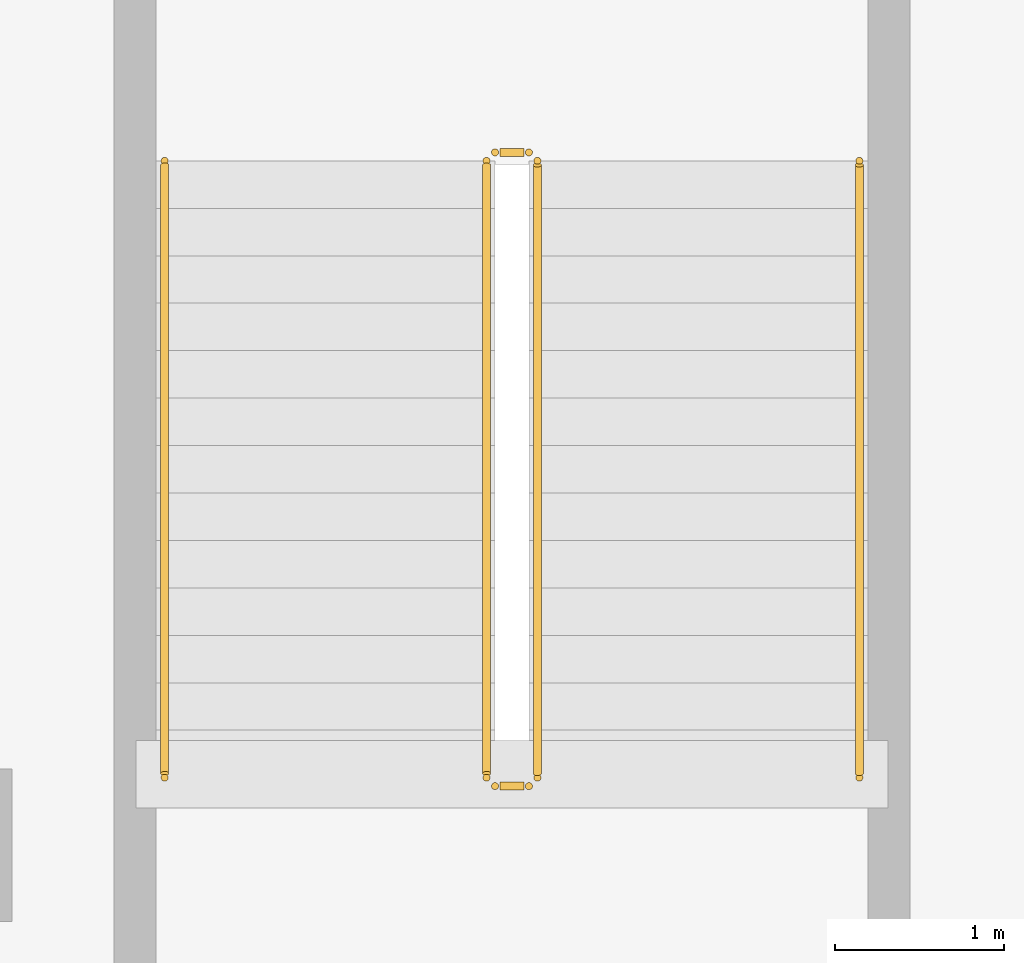
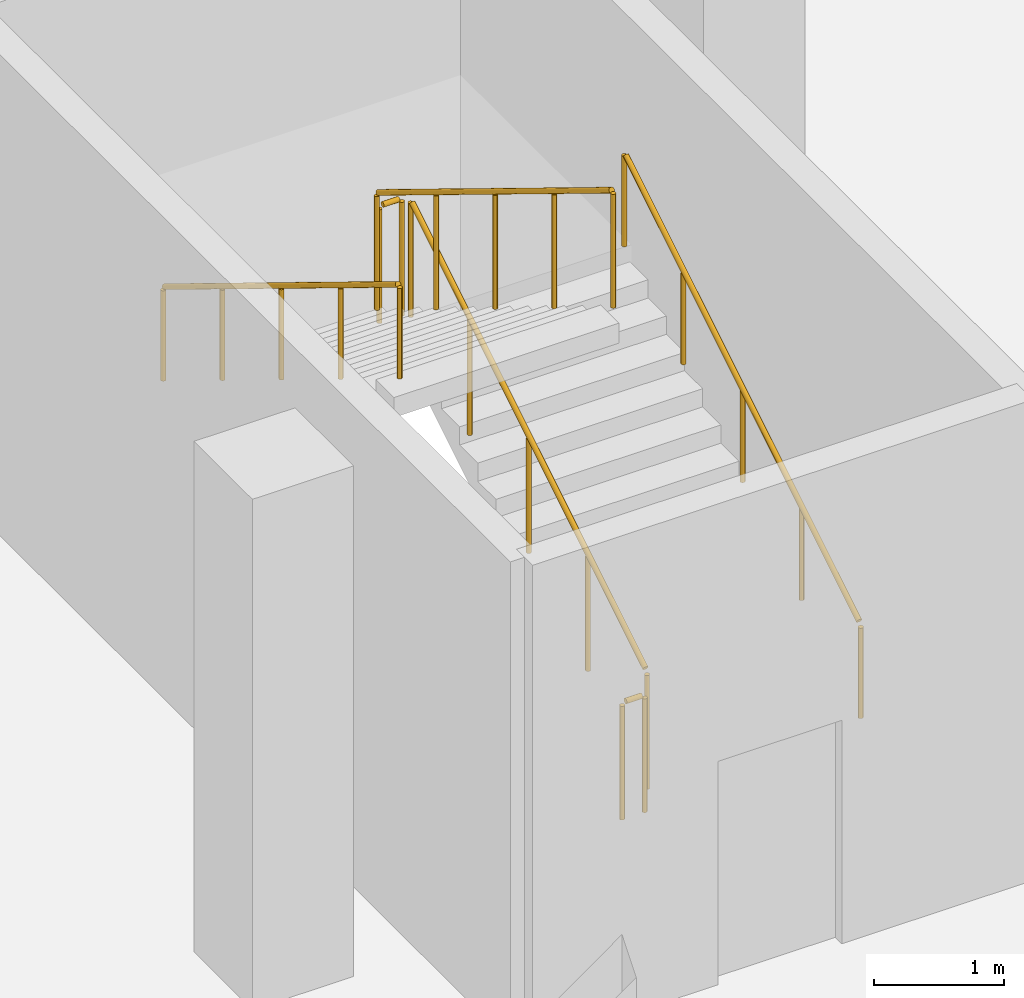
# One storey, part 32 of 36: 6 railings.
"""IFC4 building model written with IfcOpenShell, lengths in metres."""

from ifc_helpers import new_model, si_unit, direction, frame, origin, origin_2d, place, context, subcontext, project, spatial, circle, extrude, material, type_object, element, save


model = new_model("IFC4")

# Units and contexts
model_context = context("Model", 3, precision=1e-05, world=origin(), true_north=direction((0.0, 1.0)))
body_context = subcontext(model_context, "Body", "Model", "MODEL_VIEW")
ifc_project = project(units=[si_unit("LENGTHUNIT", "METRE"), si_unit("AREAUNIT", "SQUARE_METRE"), si_unit("VOLUMEUNIT", "CUBIC_METRE"), si_unit("PLANEANGLEUNIT", "RADIAN"), si_unit("MASSUNIT", "GRAM", prefix="KILO")], contexts=[model_context])

# Site, building, storey
site_placement = place(None, origin())
site = spatial("IfcSite", under=ifc_project, at=site_placement, CompositionType="ELEMENT")
building_placement = place(site_placement, origin())
building = spatial("IfcBuilding", under=site, at=building_placement, Name="Zuvorla Pavilion Media Centre", CompositionType="ELEMENT")
storey_placement = place(building_placement, origin())
storey = spatial("IfcBuildingStorey", under=building, at=storey_placement, Name="L00", CompositionType="ELEMENT", Elevation=0.0)

# Railings
ifc_material_1 = material(Name="Powder-coated steel balustrade guard", Category="steel")
railing_type_1 = type_object("IfcRailingType", Name="RL-INT-GRD", PredefinedType="BALUSTRADE", material=ifc_material_1)
railing_1_placement = place(storey_placement, frame((103.949951171875, 29.199951171875, 0.17138671875)))
element("IfcRailing", 1, at=railing_1_placement, inside=storey, type_object=railing_type_1, Name="L00 ST-04 stair guard 1", PredefinedType="BALUSTRADE", context=body_context, shape_type="SweptSolid", body=[
    extrude(circle(Radius=0.02392578125, at=origin_2d()), frame((0.0, 0.024658203125, 1.111083984375), z_axis=(0.0, 0.852865859571, 0.52213008492), x_axis=(-1.0, 0.0, 0.0)), (0.0, 0.0, 1.0), 4.21044921875),
    extrude(circle(Radius=0.02099609375, at=origin_2d()), origin(), (0.0, 0.0, 1.0), 1.070068359375),
    extrude(circle(Radius=0.02099609375, at=origin_2d()), frame((0.0, 0.91015625, 0.55712890625)), (0.0, 0.0, 1.0), 1.070068359375),
    extrude(circle(Radius=0.02099609375, at=origin_2d()), frame((0.0, 1.820068359375, 1.1142578125)), (0.0, 0.0, 1.0), 1.070068359375),
    extrude(circle(Radius=0.02099609375, at=origin_2d()), frame((0.0, 2.72998046875, 1.67138671875)), (0.0, 0.0, 1.0), 1.070068359375),
    extrude(circle(Radius=0.02099609375, at=origin_2d()), frame((0.0, 3.64013671875, 2.228515625)), (0.0, 0.0, 1.0), 1.070068359375),
])
railing_2_placement = place(storey_placement, frame((103.89990234375, 32.889892578125, 2.39990234375)))
element("IfcRailing", 2, at=railing_2_placement, inside=storey, type_object=railing_type_1, Name="L00 ST-04 stair guard 2", PredefinedType="BALUSTRADE", context=body_context, shape_type="SweptSolid", body=[
    extrude(circle(Radius=0.02392578125, at=origin_2d()), frame((-0.02880859375, 0.0, 1.09619140625), z_axis=(-1.0, 0.0, 0.0), x_axis=(0.0, -1.0, 0.0)), (0.0, 0.0, 1.0), 0.142333984375),
    extrude(circle(Radius=0.02099609375, at=origin_2d()), origin(), (0.0, 0.0, 1.0), 1.070068359375),
    extrude(circle(Radius=0.02099609375, at=origin_2d()), frame((-0.199951171875, 0.0, 0.0)), (0.0, 0.0, 1.0), 1.070068359375),
])
railing_3_placement = place(storey_placement, frame((103.64990234375, 32.840087890625, 2.571533203125)))
element("IfcRailing", 3, at=railing_3_placement, inside=storey, type_object=railing_type_1, Name="L00 ST-04 stair guard 3", PredefinedType="BALUSTRADE", context=body_context, shape_type="SweptSolid", body=[
    extrude(circle(Radius=0.02392578125, at=origin_2d()), frame((0.0, -0.024658203125, 1.111083984375), z_axis=(0.0, -0.852865859571, 0.52213008492), x_axis=(1.0, 0.0, 0.0)), (0.0, 0.0, 1.0), 4.21044921875),
    extrude(circle(Radius=0.02099609375, at=origin_2d()), origin(), (0.0, 0.0, 1.0), 1.070068359375),
    extrude(circle(Radius=0.02099609375, at=origin_2d()), frame((0.0, -0.91015625, 0.55712890625)), (0.0, 0.0, 1.0), 1.070068359375),
    extrude(circle(Radius=0.02099609375, at=origin_2d()), frame((0.0, -1.820068359375, 1.1142578125)), (0.0, 0.0, 1.0), 1.070068359375),
    extrude(circle(Radius=0.02099609375, at=origin_2d()), frame((0.0, -2.72998046875, 1.67138671875)), (0.0, 0.0, 1.0), 1.070068359375),
    extrude(circle(Radius=0.02099609375, at=origin_2d()), frame((0.0, -3.64013671875, 2.228515625)), (0.0, 0.0, 1.0), 1.070068359375),
])
railing_4_placement = place(storey_placement, frame((103.89990234375, 29.14990234375, 0.0)))
element("IfcRailing", 4, at=railing_4_placement, inside=storey, type_object=railing_type_1, Name="L00 ST-04 stair guard 4", PredefinedType="BALUSTRADE", context=body_context, shape_type="SweptSolid", body=[
    extrude(circle(Radius=0.02392578125, at=origin_2d()), frame((-0.02880859375, 0.0, 1.09619140625), z_axis=(-1.0, 0.0, 0.0), x_axis=(0.0, -1.0, 0.0)), (0.0, 0.0, 1.0), 0.142333984375),
    extrude(circle(Radius=0.02099609375, at=origin_2d()), origin(), (0.0, 0.0, 1.0), 1.070068359375),
    extrude(circle(Radius=0.02099609375, at=origin_2d()), frame((-0.199951171875, 0.0, 0.0)), (0.0, 0.0, 1.0), 1.070068359375),
])
ifc_material_2 = material(Name="Brushed stainless steel tubular handrail", Category="steel")
railing_type_2 = type_object("IfcRailingType", Name="RL-INT-HND", PredefinedType="HANDRAIL", material=ifc_material_2)
railing_5_placement = place(storey_placement, frame((105.85009765625, 29.199951171875, 0.17138671875)))
element("IfcRailing", 5, at=railing_5_placement, inside=storey, type_object=railing_type_2, Name="L00 ST-04 handrail 1", PredefinedType="HANDRAIL", context=body_context, shape_type="SweptSolid", body=[
    extrude(circle(Radius=0.02392578125, at=origin_2d()), frame((0.0, 0.024658203125, 0.890869140625), z_axis=(0.0, 0.852865859571, 0.52213008492), x_axis=(-1.0, 0.0, 0.0)), (0.0, 0.0, 1.0), 4.21044921875),
    extrude(circle(Radius=0.02099609375, at=origin_2d()), origin(), (0.0, 0.0, 1.0), 0.849853515625),
    extrude(circle(Radius=0.02099609375, at=origin_2d()), frame((0.0, 0.91015625, 0.55712890625)), (0.0, 0.0, 1.0), 0.849853515625),
    extrude(circle(Radius=0.02099609375, at=origin_2d()), frame((0.0, 1.820068359375, 1.1142578125)), (0.0, 0.0, 1.0), 0.849853515625),
    extrude(circle(Radius=0.02099609375, at=origin_2d()), frame((0.0, 2.72998046875, 1.67138671875)), (0.0, 0.0, 1.0), 0.849853515625),
    extrude(circle(Radius=0.02099609375, at=origin_2d()), frame((0.0, 3.64013671875, 2.228515625)), (0.0, 0.0, 1.0), 0.849853515625),
])
railing_6_placement = place(storey_placement, frame((101.75, 32.840087890625, 2.571533203125)))
element("IfcRailing", 6, at=railing_6_placement, inside=storey, type_object=railing_type_2, Name="L00 ST-04 handrail 2", PredefinedType="HANDRAIL", context=body_context, shape_type="SweptSolid", body=[
    extrude(circle(Radius=0.02392578125, at=origin_2d()), frame((0.0, -0.024658203125, 0.890869140625), z_axis=(0.0, -0.852865859571, 0.52213008492), x_axis=(1.0, 0.0, 0.0)), (0.0, 0.0, 1.0), 4.21044921875),
    extrude(circle(Radius=0.02099609375, at=origin_2d()), origin(), (0.0, 0.0, 1.0), 0.849853515625),
    extrude(circle(Radius=0.02099609375, at=origin_2d()), frame((0.0, -0.91015625, 0.55712890625)), (0.0, 0.0, 1.0), 0.849853515625),
    extrude(circle(Radius=0.02099609375, at=origin_2d()), frame((0.0, -1.820068359375, 1.1142578125)), (0.0, 0.0, 1.0), 0.849853515625),
    extrude(circle(Radius=0.02099609375, at=origin_2d()), frame((0.0, -2.72998046875, 1.67138671875)), (0.0, 0.0, 1.0), 0.849853515625),
    extrude(circle(Radius=0.02099609375, at=origin_2d()), frame((0.0, -3.64013671875, 2.228515625)), (0.0, 0.0, 1.0), 0.849853515625),
])

save(model, "model.ifc")
